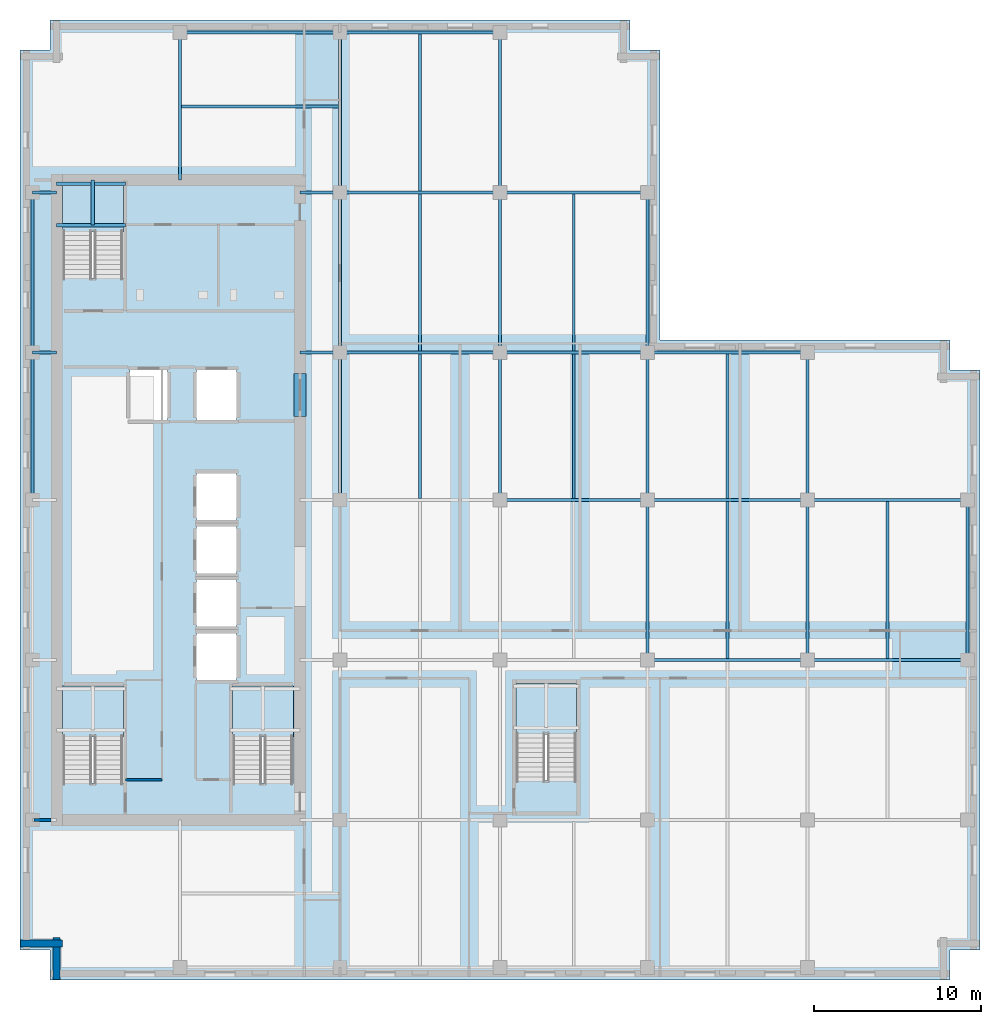
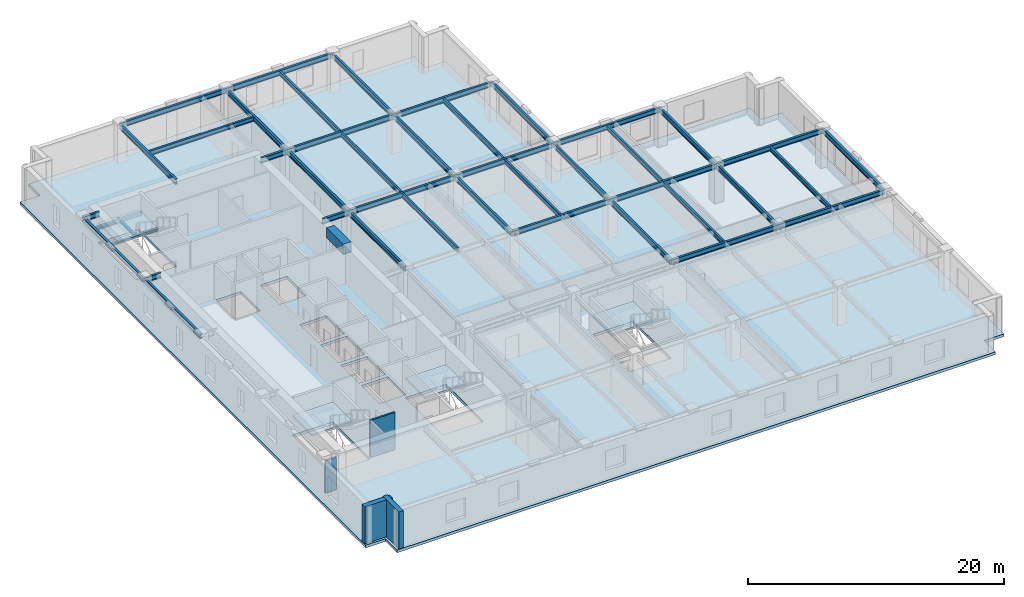
# One storey, part 2 of 11: 44 beams, 5 slabs, 4 walls, 4 elements without a shape of their own.
"""IFC4 building model written with IfcOpenShell, lengths in metres."""

from ifc_helpers import new_model, si_unit, direction, frame, frame_2d, origin, origin_2d, place, context, subcontext, project, spatial, polyline, rectangle, i_section, outline, extrude, material, layer, layer_set, material_profile, profile_set, type_object, element, aggregate, save


model = new_model("IFC4")

# Units and contexts
model_context = context("Model", 3, precision=1e-05, world=origin(), true_north=direction((0.0, 1.0)))
body_context = subcontext(model_context, "Body", "Model", "MODEL_VIEW")
ifc_project = project(units=[si_unit("LENGTHUNIT", "METRE"), si_unit("AREAUNIT", "SQUARE_METRE"), si_unit("VOLUMEUNIT", "CUBIC_METRE"), si_unit("PLANEANGLEUNIT", "RADIAN"), si_unit("MASSUNIT", "GRAM", prefix="KILO")], contexts=[model_context])

# Site, building, storey
site_placement = place(None, origin())
site = spatial("IfcSite", under=ifc_project, at=site_placement, CompositionType="ELEMENT")
building_placement = place(site_placement, origin())
building = spatial("IfcBuilding", under=site, at=building_placement, Name="Norrvale University Quadrangle", CompositionType="ELEMENT")
storey_placement = place(building_placement, frame((0.0, 0.0, 202.800048828125)))
storey = spatial("IfcBuildingStorey", under=building, at=storey_placement, Name="L51", CompositionType="ELEMENT", Elevation=202.800048828125)

# Beams
ifc_material_1 = material(Name="Concrete C80/95", Category="concrete")
ifc_material_profile_1 = material_profile(ifc_material_1, rectangle(XDim=0.699951171875, YDim=0.949951171875, at=origin_2d()), Name="Concrete C80/95")
ifc_profile_set_1 = profile_set([ifc_material_profile_1], Name="Concrete C80/95")
beam_type_1 = type_object("IfcBeamType", Name="Beam Core Link 700x950", PredefinedType="LINTEL", material=ifc_profile_set_1)
beam_1_placement = place(storey_placement, frame((16.800048828125, 33.800048828125, 3.06494140625), z_axis=(0.0, 1.0, 0.0), x_axis=(-1.0, 0.0, 0.0)))
element("IfcBeam", 1, at=beam_1_placement, inside=storey, type_object=beam_type_1, Name="Core Coupling Lintel Beam L51-2", PredefinedType="LINTEL", context=body_context, shape_type="SweptSolid", body=[
    extrude(rectangle(XDim=0.699951171875, YDim=0.949951171875, at=origin_2d()), origin(), (0.0, 0.0, 1.0), 2.599853515625),
])
ifc_material_2 = material(Name="Steel 350W", Category="steel")
ifc_material_profile_2 = material_profile(ifc_material_2, i_section(OverallWidth=0.194091796875, OverallDepth=0.468994140625, WebThickness=0.0126953125, FlangeThickness=0.0205078125, FilletRadius=0.012939453125, at=origin_2d()), Name="Steel 350W")
ifc_profile_set_2 = profile_set([ifc_material_profile_2], Name="Steel 350W")
beam_type_2 = type_object("IfcBeamType", Name="Beam Floor W460x106", PredefinedType="BEAM", material=ifc_profile_set_2)
for number, where, z_axis, x_axis, name in (
    (2, (37.64990234375, 19.199951171875, 3.305419921875), (1.0, 0.0, 0.0), (0.0, 1.0, 0.0), "Beam Floor W460x106 BM-L51-GX011"),
    (3, (47.25, 19.199951171875, 3.305419921875), (1.0, 0.0, 0.0), (0.0, 1.0, 0.0), "Beam Floor W460x106 BM-L51-GX012"),
):
    element("IfcBeam", number, at=place(storey_placement, frame(where, z_axis=z_axis, x_axis=x_axis)), inside=storey, type_object=beam_type_2, Name=name, PredefinedType="BEAM", context=body_context, shape_type="SweptSolid", body=[
        extrude(i_section(OverallWidth=0.194091796875, OverallDepth=0.468994140625, WebThickness=0.0126953125, FlangeThickness=0.0205078125, FilletRadius=0.012939453125, at=origin_2d()), origin(), (0.0, 0.0, 1.0), 9.60009765625),
    ])
beam_2_placement = place(storey_placement, frame((28.800048828125, 28.800048828125, 3.305419921875), z_axis=(1.0, 0.0, 0.0), x_axis=(0.0, 1.0, 0.0)))
element("IfcBeam", 4, at=beam_2_placement, inside=storey, type_object=beam_type_2, Name="Beam Floor W460x106 BM-L51-GX014", PredefinedType="BEAM", context=body_context, shape_type="SweptSolid", body=[
    extrude(i_section(OverallWidth=0.194091796875, OverallDepth=0.468994140625, WebThickness=0.0126953125, FlangeThickness=0.0205078125, FilletRadius=0.012939453125, at=origin_2d()), origin(), (0.0, 0.0, 1.0), 8.849853515625),
])
for number, where, z_axis, x_axis, name in (
    (5, (37.64990234375, 28.800048828125, 3.305419921875), (1.0, 0.0, 0.0), (0.0, 1.0, 0.0), "Beam Floor W460x106 BM-L51-GX015"),
    (6, (47.25, 28.800048828125, 3.305419921875), (1.0, 0.0, 0.0), (0.0, 1.0, 0.0), "Beam Floor W460x106 BM-L51-GX016"),
    (7, (19.199951171875, 37.64990234375, 3.305419921875), (1.0, 0.0, 0.0), (0.0, 1.0, 0.0), "Beam Floor W460x106 BM-L51-GX017"),
):
    element("IfcBeam", number, at=place(storey_placement, frame(where, z_axis=z_axis, x_axis=x_axis)), inside=storey, type_object=beam_type_2, Name=name, PredefinedType="BEAM", context=body_context, shape_type="SweptSolid", body=[
        extrude(i_section(OverallWidth=0.194091796875, OverallDepth=0.468994140625, WebThickness=0.0126953125, FlangeThickness=0.0205078125, FilletRadius=0.012939453125, at=origin_2d()), origin(), (0.0, 0.0, 1.0), 9.60009765625),
    ])
beam_3_placement = place(storey_placement, frame((28.800048828125, 37.64990234375, 3.305419921875), z_axis=(1.0, 0.0, 0.0), x_axis=(0.0, 1.0, 0.0)))
element("IfcBeam", 8, at=beam_3_placement, inside=storey, type_object=beam_type_2, Name="Beam Floor W460x106 BM-L51-GX018", PredefinedType="BEAM", context=body_context, shape_type="SweptSolid", body=[
    extrude(i_section(OverallWidth=0.194091796875, OverallDepth=0.468994140625, WebThickness=0.0126953125, FlangeThickness=0.0205078125, FilletRadius=0.012939453125, at=origin_2d()), origin(), (0.0, 0.0, 1.0), 8.849853515625),
])
for number, where, z_axis, x_axis, name in (
    (9, (37.64990234375, 37.64990234375, 3.305419921875), (1.0, 0.0, 0.0), (0.0, 1.0, 0.0), "Beam Floor W460x106 BM-L51-GX019"),
    (10, (19.199951171875, 47.25, 3.305419921875), (1.0, 0.0, 0.0), (0.0, 1.0, 0.0), "Beam Floor W460x106 BM-L51-GX020"),
):
    element("IfcBeam", number, at=place(storey_placement, frame(where, z_axis=z_axis, x_axis=x_axis)), inside=storey, type_object=beam_type_2, Name=name, PredefinedType="BEAM", context=body_context, shape_type="SweptSolid", body=[
        extrude(i_section(OverallWidth=0.194091796875, OverallDepth=0.468994140625, WebThickness=0.0126953125, FlangeThickness=0.0205078125, FilletRadius=0.012939453125, at=origin_2d()), origin(), (0.0, 0.0, 1.0), 9.60009765625),
    ])
beam_4_placement = place(storey_placement, frame((28.800048828125, 47.25, 3.305419921875), z_axis=(1.0, 0.0, 0.0), x_axis=(0.0, 1.0, 0.0)))
element("IfcBeam", 11, at=beam_4_placement, inside=storey, type_object=beam_type_2, Name="Beam Floor W460x106 BM-L51-GX021", PredefinedType="BEAM", context=body_context, shape_type="SweptSolid", body=[
    extrude(i_section(OverallWidth=0.194091796875, OverallDepth=0.468994140625, WebThickness=0.0126953125, FlangeThickness=0.0205078125, FilletRadius=0.012939453125, at=origin_2d()), origin(), (0.0, 0.0, 1.0), 8.849853515625),
])
beam_5_placement = place(storey_placement, frame((9.60009765625, 56.85009765625, 3.305419921875), z_axis=(1.0, 0.0, 0.0), x_axis=(0.0, 1.0, 0.0)))
element("IfcBeam", 12, at=beam_5_placement, inside=storey, type_object=beam_type_2, Name="Beam Floor W460x106 BM-L51-GX022", PredefinedType="BEAM", context=body_context, shape_type="SweptSolid", body=[
    extrude(i_section(OverallWidth=0.194091796875, OverallDepth=0.468994140625, WebThickness=0.0126953125, FlangeThickness=0.0205078125, FilletRadius=0.012939453125, at=origin_2d()), origin(), (0.0, 0.0, 1.0), 9.599853515625),
])
beam_6_placement = place(storey_placement, frame((19.199951171875, 56.85009765625, 3.305419921875), z_axis=(1.0, 0.0, 0.0), x_axis=(0.0, 1.0, 0.0)))
element("IfcBeam", 13, at=beam_6_placement, inside=storey, type_object=beam_type_2, Name="Beam Floor W460x106 BM-L51-GX023", PredefinedType="BEAM", context=body_context, shape_type="SweptSolid", body=[
    extrude(i_section(OverallWidth=0.194091796875, OverallDepth=0.468994140625, WebThickness=0.0126953125, FlangeThickness=0.0205078125, FilletRadius=0.012939453125, at=origin_2d()), origin(), (0.0, 0.0, 1.0), 9.60009765625),
])
beam_7_placement = place(storey_placement, frame((0.75, 28.800048828125, 3.305419921875), z_axis=(0.0, 1.0, 0.0), x_axis=(-1.0, 0.0, 0.0)))
element("IfcBeam", 14, at=beam_7_placement, inside=storey, type_object=beam_type_2, Name="Beam Floor W460x106 BM-L51-GY026", PredefinedType="BEAM", context=body_context, shape_type="SweptSolid", body=[
    extrude(i_section(OverallWidth=0.194091796875, OverallDepth=0.468994140625, WebThickness=0.0126953125, FlangeThickness=0.0205078125, FilletRadius=0.012939453125, at=origin_2d()), origin(), (0.0, 0.0, 1.0), 8.849853515625),
])
beam_8_placement = place(storey_placement, frame((0.75, 37.64990234375, 3.305419921875), z_axis=(0.0, 1.0, 0.0), x_axis=(-1.0, 0.0, 0.0)))
element("IfcBeam", 15, at=beam_8_placement, inside=storey, type_object=beam_type_2, Name="Beam Floor W460x106 BM-L51-GY027", PredefinedType="BEAM", context=body_context, shape_type="SweptSolid", body=[
    extrude(i_section(OverallWidth=0.194091796875, OverallDepth=0.468994140625, WebThickness=0.0126953125, FlangeThickness=0.0205078125, FilletRadius=0.012939453125, at=origin_2d()), origin(), (0.0, 0.0, 1.0), 9.60009765625),
])
beam_9_placement = place(storey_placement, frame((19.199951171875, 28.800048828125, 3.305419921875), z_axis=(0.0, 1.0, 0.0), x_axis=(-1.0, 0.0, 0.0)))
element("IfcBeam", 16, at=beam_9_placement, inside=storey, type_object=beam_type_2, Name="Beam Floor W460x106 BM-L51-GY031", PredefinedType="BEAM", context=body_context, shape_type="SweptSolid", body=[
    extrude(i_section(OverallWidth=0.194091796875, OverallDepth=0.468994140625, WebThickness=0.0126953125, FlangeThickness=0.0205078125, FilletRadius=0.012939453125, at=origin_2d()), origin(), (0.0, 0.0, 1.0), 8.849853515625),
])
for number, where, z_axis, x_axis, name in (
    (17, (19.199951171875, 37.64990234375, 3.305419921875), (0.0, 1.0, 0.0), (-1.0, 0.0, 0.0), "Beam Floor W460x106 BM-L51-GY032"),
    (18, (19.199951171875, 47.25, 3.305419921875), (0.0, 1.0, 0.0), (-1.0, 0.0, 0.0), "Beam Floor W460x106 BM-L51-GY033"),
):
    element("IfcBeam", number, at=place(storey_placement, frame(where, z_axis=z_axis, x_axis=x_axis)), inside=storey, type_object=beam_type_2, Name=name, PredefinedType="BEAM", context=body_context, shape_type="SweptSolid", body=[
        extrude(i_section(OverallWidth=0.194091796875, OverallDepth=0.468994140625, WebThickness=0.0126953125, FlangeThickness=0.0205078125, FilletRadius=0.012939453125, at=origin_2d()), origin(), (0.0, 0.0, 1.0), 9.60009765625),
    ])
beam_10_placement = place(storey_placement, frame((28.800048828125, 28.800048828125, 3.305419921875), z_axis=(0.0, 1.0, 0.0), x_axis=(-1.0, 0.0, 0.0)))
element("IfcBeam", 19, at=beam_10_placement, inside=storey, type_object=beam_type_2, Name="Beam Floor W460x106 BM-L51-GY037", PredefinedType="BEAM", context=body_context, shape_type="SweptSolid", body=[
    extrude(i_section(OverallWidth=0.194091796875, OverallDepth=0.468994140625, WebThickness=0.0126953125, FlangeThickness=0.0205078125, FilletRadius=0.012939453125, at=origin_2d()), origin(), (0.0, 0.0, 1.0), 8.849853515625),
])
for number, where, z_axis, x_axis, name in (
    (20, (28.800048828125, 37.64990234375, 3.305419921875), (0.0, 1.0, 0.0), (-1.0, 0.0, 0.0), "Beam Floor W460x106 BM-L51-GY038"),
    (21, (28.800048828125, 47.25, 3.305419921875), (0.0, 1.0, 0.0), (-1.0, 0.0, 0.0), "Beam Floor W460x106 BM-L51-GY039"),
    (22, (37.64990234375, 19.199951171875, 3.305419921875), (0.0, 1.0, 0.0), (-1.0, 0.0, 0.0), "Beam Floor W460x106 BM-L51-GY042"),
):
    element("IfcBeam", number, at=place(storey_placement, frame(where, z_axis=z_axis, x_axis=x_axis)), inside=storey, type_object=beam_type_2, Name=name, PredefinedType="BEAM", context=body_context, shape_type="SweptSolid", body=[
        extrude(i_section(OverallWidth=0.194091796875, OverallDepth=0.468994140625, WebThickness=0.0126953125, FlangeThickness=0.0205078125, FilletRadius=0.012939453125, at=origin_2d()), origin(), (0.0, 0.0, 1.0), 9.60009765625),
    ])
beam_11_placement = place(storey_placement, frame((37.64990234375, 28.800048828125, 3.305419921875), z_axis=(0.0, 1.0, 0.0), x_axis=(-1.0, 0.0, 0.0)))
element("IfcBeam", 23, at=beam_11_placement, inside=storey, type_object=beam_type_2, Name="Beam Floor W460x106 BM-L51-GY043", PredefinedType="BEAM", context=body_context, shape_type="SweptSolid", body=[
    extrude(i_section(OverallWidth=0.194091796875, OverallDepth=0.468994140625, WebThickness=0.0126953125, FlangeThickness=0.0205078125, FilletRadius=0.012939453125, at=origin_2d()), origin(), (0.0, 0.0, 1.0), 8.849853515625),
])
for number, where, z_axis, x_axis, name in (
    (24, (37.64990234375, 37.64990234375, 3.305419921875), (0.0, 1.0, 0.0), (-1.0, 0.0, 0.0), "Beam Floor W460x106 BM-L51-GY044"),
    (25, (47.25, 19.199951171875, 3.305419921875), (0.0, 1.0, 0.0), (-1.0, 0.0, 0.0), "Beam Floor W460x106 BM-L51-GY047"),
):
    element("IfcBeam", number, at=place(storey_placement, frame(where, z_axis=z_axis, x_axis=x_axis)), inside=storey, type_object=beam_type_2, Name=name, PredefinedType="BEAM", context=body_context, shape_type="SweptSolid", body=[
        extrude(i_section(OverallWidth=0.194091796875, OverallDepth=0.468994140625, WebThickness=0.0126953125, FlangeThickness=0.0205078125, FilletRadius=0.012939453125, at=origin_2d()), origin(), (0.0, 0.0, 1.0), 9.60009765625),
    ])
beam_12_placement = place(storey_placement, frame((47.25, 28.800048828125, 3.305419921875), z_axis=(0.0, 1.0, 0.0), x_axis=(-1.0, 0.0, 0.0)))
element("IfcBeam", 26, at=beam_12_placement, inside=storey, type_object=beam_type_2, Name="Beam Floor W460x106 BM-L51-GY048", PredefinedType="BEAM", context=body_context, shape_type="SweptSolid", body=[
    extrude(i_section(OverallWidth=0.194091796875, OverallDepth=0.468994140625, WebThickness=0.0126953125, FlangeThickness=0.0205078125, FilletRadius=0.012939453125, at=origin_2d()), origin(), (0.0, 0.0, 1.0), 8.849853515625),
])
beam_13_placement = place(storey_placement, frame((56.85009765625, 19.199951171875, 3.305419921875), z_axis=(0.0, 1.0, 0.0), x_axis=(-1.0, 0.0, 0.0)))
element("IfcBeam", 27, at=beam_13_placement, inside=storey, type_object=beam_type_2, Name="Beam Floor W460x106 BM-L51-GY050", PredefinedType="BEAM", context=body_context, shape_type="SweptSolid", body=[
    extrude(i_section(OverallWidth=0.194091796875, OverallDepth=0.468994140625, WebThickness=0.0126953125, FlangeThickness=0.0205078125, FilletRadius=0.012939453125, at=origin_2d()), origin(), (0.0, 0.0, 1.0), 9.60009765625),
])
beam_14_placement = place(storey_placement, frame((0.75, 37.64990234375, 3.305419921875), z_axis=(1.0, 0.0, 0.0), x_axis=(0.0, 1.0, 0.0)))
element("IfcBeam", 28, at=beam_14_placement, inside=storey, type_object=beam_type_2, Name="Beam Floor W460x106 BM-L51-GCW057", PredefinedType="BEAM", context=body_context, shape_type="SweptSolid", body=[
    extrude(i_section(OverallWidth=0.194091796875, OverallDepth=0.468994140625, WebThickness=0.0126953125, FlangeThickness=0.0205078125, FilletRadius=0.012939453125, at=origin_2d()), origin(), (0.0, 0.0, 1.0), 1.449951171875),
])
beam_15_placement = place(storey_placement, frame((16.800048828125, 37.64990234375, 3.305419921875), z_axis=(1.0, 0.0, 0.0), x_axis=(0.0, 1.0, 0.0)))
element("IfcBeam", 29, at=beam_15_placement, inside=storey, type_object=beam_type_2, Name="Beam Floor W460x106 BM-L51-GCE058", PredefinedType="BEAM", context=body_context, shape_type="SweptSolid", body=[
    extrude(i_section(OverallWidth=0.194091796875, OverallDepth=0.468994140625, WebThickness=0.0126953125, FlangeThickness=0.0205078125, FilletRadius=0.012939453125, at=origin_2d()), origin(), (0.0, 0.0, 1.0), 2.39990234375),
])
beam_16_placement = place(storey_placement, frame((0.75, 47.25, 3.305419921875), z_axis=(1.0, 0.0, 0.0), x_axis=(0.0, 1.0, 0.0)))
element("IfcBeam", 30, at=beam_16_placement, inside=storey, type_object=beam_type_2, Name="Beam Floor W460x106 BM-L51-GCW059", PredefinedType="BEAM", context=body_context, shape_type="SweptSolid", body=[
    extrude(i_section(OverallWidth=0.194091796875, OverallDepth=0.468994140625, WebThickness=0.0126953125, FlangeThickness=0.0205078125, FilletRadius=0.012939453125, at=origin_2d()), origin(), (0.0, 0.0, 1.0), 1.449951171875),
])
beam_17_placement = place(storey_placement, frame((16.800048828125, 47.25, 3.305419921875), z_axis=(1.0, 0.0, 0.0), x_axis=(0.0, 1.0, 0.0)))
element("IfcBeam", 31, at=beam_17_placement, inside=storey, type_object=beam_type_2, Name="Beam Floor W460x106 BM-L51-GCE060", PredefinedType="BEAM", context=body_context, shape_type="SweptSolid", body=[
    extrude(i_section(OverallWidth=0.194091796875, OverallDepth=0.468994140625, WebThickness=0.0126953125, FlangeThickness=0.0205078125, FilletRadius=0.012939453125, at=origin_2d()), origin(), (0.0, 0.0, 1.0), 2.39990234375),
])
beam_18_placement = place(storey_placement, frame((9.60009765625, 48.0, 3.305419921875), z_axis=(0.0, 1.0, 0.0), x_axis=(-1.0, 0.0, 0.0)))
element("IfcBeam", 32, at=beam_18_placement, inside=storey, type_object=beam_type_2, Name="Beam Floor W460x106 BM-L51-GCN079", PredefinedType="BEAM", context=body_context, shape_type="SweptSolid", body=[
    extrude(i_section(OverallWidth=0.194091796875, OverallDepth=0.468994140625, WebThickness=0.0126953125, FlangeThickness=0.0205078125, FilletRadius=0.012939453125, at=origin_2d()), origin(), (0.0, 0.0, 1.0), 8.85009765625),
])
ifc_material_profile_3 = material_profile(ifc_material_2, i_section(OverallWidth=0.177978515625, OverallDepth=0.406982421875, WebThickness=0.0078125, FlangeThickness=0.0126953125, FilletRadius=0.011962890625, at=origin_2d()), Name="Steel 350W")
ifc_profile_set_3 = profile_set([ifc_material_profile_3], Name="Steel 350W")
beam_type_3 = type_object("IfcBeamType", Name="Beam Roof Purlin W410x60", PredefinedType="USERDEFINED", material=ifc_profile_set_3)
beam_19_placement = place(storey_placement, frame((24.0, 28.89697265625, 3.33642578125), z_axis=(0.0, 1.0, 0.0), x_axis=(-1.0, 0.0, 0.0)))
element("IfcBeam", 33, at=beam_19_placement, inside=storey, type_object=beam_type_3, Name="Beam Roof Purlin W410x60 BM-L51-J064", ObjectType="PURLIN", PredefinedType="USERDEFINED", context=body_context, shape_type="SweptSolid", body=[
    extrude(i_section(OverallWidth=0.177978515625, OverallDepth=0.406982421875, WebThickness=0.0078125, FlangeThickness=0.0126953125, FilletRadius=0.011962890625, at=origin_2d()), origin(), (0.0, 0.0, 1.0), 8.656005859375),
])
for number, where, z_axis, x_axis, name in (
    (34, (24.0, 37.7470703125, 3.33642578125), (0.0, 1.0, 0.0), (-1.0, 0.0, 0.0), "Beam Roof Purlin W410x60 BM-L51-J065"),
    (35, (24.0, 47.346923828125, 3.33642578125), (0.0, 1.0, 0.0), (-1.0, 0.0, 0.0), "Beam Roof Purlin W410x60 BM-L51-J066"),
):
    element("IfcBeam", number, at=place(storey_placement, frame(where, z_axis=z_axis, x_axis=x_axis)), inside=storey, type_object=beam_type_3, Name=name, ObjectType="PURLIN", PredefinedType="USERDEFINED", context=body_context, shape_type="SweptSolid", body=[
        extrude(i_section(OverallWidth=0.177978515625, OverallDepth=0.406982421875, WebThickness=0.0078125, FlangeThickness=0.0126953125, FilletRadius=0.011962890625, at=origin_2d()), origin(), (0.0, 0.0, 1.0), 9.406005859375),
    ])
beam_20_placement = place(storey_placement, frame((33.22509765625, 28.89697265625, 3.33642578125), z_axis=(0.0, 1.0, 0.0), x_axis=(-1.0, 0.0, 0.0)))
element("IfcBeam", 36, at=beam_20_placement, inside=storey, type_object=beam_type_3, Name="Beam Roof Purlin W410x60 BM-L51-J069", ObjectType="PURLIN", PredefinedType="USERDEFINED", context=body_context, shape_type="SweptSolid", body=[
    extrude(i_section(OverallWidth=0.177978515625, OverallDepth=0.406982421875, WebThickness=0.0078125, FlangeThickness=0.0126953125, FilletRadius=0.011962890625, at=origin_2d()), origin(), (0.0, 0.0, 1.0), 8.656005859375),
])
beam_21_placement = place(storey_placement, frame((33.22509765625, 37.7470703125, 3.33642578125), z_axis=(0.0, 1.0, 0.0), x_axis=(-1.0, 0.0, 0.0)))
element("IfcBeam", 37, at=beam_21_placement, inside=storey, type_object=beam_type_3, Name="Beam Roof Purlin W410x60 BM-L51-J070", ObjectType="PURLIN", PredefinedType="USERDEFINED", context=body_context, shape_type="SweptSolid", body=[
    extrude(i_section(OverallWidth=0.177978515625, OverallDepth=0.406982421875, WebThickness=0.0078125, FlangeThickness=0.0126953125, FilletRadius=0.011962890625, at=origin_2d()), origin(), (0.0, 0.0, 1.0), 9.406005859375),
])
beam_22_placement = place(storey_placement, frame((42.449951171875, 19.297119140625, 3.33642578125), z_axis=(0.0, 1.0, 0.0), x_axis=(-1.0, 0.0, 0.0)))
element("IfcBeam", 38, at=beam_22_placement, inside=storey, type_object=beam_type_3, Name="Beam Roof Purlin W410x60 BM-L51-J073", ObjectType="PURLIN", PredefinedType="USERDEFINED", context=body_context, shape_type="SweptSolid", body=[
    extrude(i_section(OverallWidth=0.177978515625, OverallDepth=0.406982421875, WebThickness=0.0078125, FlangeThickness=0.0126953125, FilletRadius=0.011962890625, at=origin_2d()), origin(), (0.0, 0.0, 1.0), 9.40576171875),
])
beam_23_placement = place(storey_placement, frame((42.449951171875, 28.89697265625, 3.33642578125), z_axis=(0.0, 1.0, 0.0), x_axis=(-1.0, 0.0, 0.0)))
element("IfcBeam", 39, at=beam_23_placement, inside=storey, type_object=beam_type_3, Name="Beam Roof Purlin W410x60 BM-L51-J074", ObjectType="PURLIN", PredefinedType="USERDEFINED", context=body_context, shape_type="SweptSolid", body=[
    extrude(i_section(OverallWidth=0.177978515625, OverallDepth=0.406982421875, WebThickness=0.0078125, FlangeThickness=0.0126953125, FilletRadius=0.011962890625, at=origin_2d()), origin(), (0.0, 0.0, 1.0), 8.656005859375),
])
beam_24_placement = place(storey_placement, frame((52.050048828125, 19.297119140625, 3.33642578125), z_axis=(0.0, 1.0, 0.0), x_axis=(-1.0, 0.0, 0.0)))
element("IfcBeam", 40, at=beam_24_placement, inside=storey, type_object=beam_type_3, Name="Beam Roof Purlin W410x60 BM-L51-J076", ObjectType="PURLIN", PredefinedType="USERDEFINED", context=body_context, shape_type="SweptSolid", body=[
    extrude(i_section(OverallWidth=0.177978515625, OverallDepth=0.406982421875, WebThickness=0.0078125, FlangeThickness=0.0126953125, FilletRadius=0.011962890625, at=origin_2d()), origin(), (0.0, 0.0, 1.0), 9.40576171875),
])
beam_25_placement = place(storey_placement, frame((9.697021484375, 52.39990234375, 3.33642578125), z_axis=(1.0, 0.0, 0.0), x_axis=(0.0, 1.0, 0.0)))
element("IfcBeam", 41, at=beam_25_placement, inside=storey, type_object=beam_type_3, Name="Beam Roof Purlin W410x60 BM-L51-JCN080", ObjectType="PURLIN", PredefinedType="USERDEFINED", context=body_context, shape_type="SweptSolid", body=[
    extrude(i_section(OverallWidth=0.177978515625, OverallDepth=0.406982421875, WebThickness=0.0078125, FlangeThickness=0.0126953125, FilletRadius=0.011962890625, at=origin_2d()), origin(), (0.0, 0.0, 1.0), 9.406005859375),
])
ifc_material_profile_4 = material_profile(ifc_material_2, i_section(OverallWidth=0.201904296875, OverallDepth=0.2470703125, WebThickness=0.00732421875, FlangeThickness=0.010986328125, FilletRadius=0.011962890625, at=origin_2d()), Name="Steel 350W")
ifc_profile_set_4 = profile_set([ifc_material_profile_4], Name="Steel 350W")
beam_type_4 = type_object("IfcBeamType", Name="Beam Stair W250x49", PredefinedType="BEAM", material=ifc_profile_set_4)
for number, where, z_axis, x_axis, name in (
    (42, (2.199951171875, 45.2900390625, 1.576416015625), (1.0, 0.0, 0.0), (0.0, 1.0, 0.0), "Stair Mid-Landing Front Beam ST-02 L51"),
    (43, (2.199951171875, 47.77001953125, 1.576416015625), (1.0, 0.0, 0.0), (0.0, 1.0, 0.0), "Stair Mid-Landing Rear Beam ST-02 L51"),
):
    element("IfcBeam", number, at=place(storey_placement, frame(where, z_axis=z_axis, x_axis=x_axis)), inside=storey, type_object=beam_type_4, Name=name, PredefinedType="BEAM", context=body_context, shape_type="SweptSolid", body=[
        extrude(i_section(OverallWidth=0.201904296875, OverallDepth=0.2470703125, WebThickness=0.00732421875, FlangeThickness=0.010986328125, FilletRadius=0.011962890625, at=origin_2d()), origin(), (0.0, 0.0, 1.0), 4.14013671875),
    ])
ifc_material_profile_5 = material_profile(ifc_material_2, i_section(OverallWidth=0.202880859375, OverallDepth=0.202880859375, WebThickness=0.007080078125, FlangeThickness=0.010986328125, FilletRadius=0.010009765625, at=origin_2d()), Name="Steel 350W")
ifc_profile_set_5 = profile_set([ifc_material_profile_5], Name="Steel 350W")
beam_type_5 = type_object("IfcBeamType", Name="Beam Trim W200x46", PredefinedType="BEAM", material=ifc_profile_set_5)
beam_26_placement = place(storey_placement, frame((4.375, 45.2900390625, 1.598388671875), z_axis=(0.0, 1.0, 0.0), x_axis=(-1.0, 0.0, 0.0)))
element("IfcBeam", 44, at=beam_26_placement, inside=storey, type_object=beam_type_5, Name="Stair Mid-Landing Cross Beam ST-02 L51", PredefinedType="BEAM", context=body_context, shape_type="SweptSolid", body=[
    extrude(i_section(OverallWidth=0.202880859375, OverallDepth=0.202880859375, WebThickness=0.007080078125, FlangeThickness=0.010986328125, FilletRadius=0.010009765625, at=origin_2d()), origin(), (0.0, 0.0, 1.0), 2.7099609375),
])

# Stair, slab
ifc_material_3 = material(Name="Concrete C40/50", Category="concrete")
stair_type = type_object("IfcStairType", Name="Stair Tower Typ 3800", PredefinedType="TWO_STRAIGHT_RUN_STAIR", material=ifc_material_3)
stair_1_placement = place(storey_placement, origin())
stair_1 = element("IfcStair", 45, at=stair_1_placement, inside=storey, type_object=stair_type, Name="Exit Stair ST-01 L51", PredefinedType="TWO_STRAIGHT_RUN_STAIR")
ifc_layer_1 = layer(ifc_material_3, 0.199951171875, Name="Concrete C40/50")
ifc_layer_set_1 = layer_set([ifc_layer_1], Name="Concrete C40/50")
slab_type_1 = type_object("IfcSlabType", Name="Slab Landing 200", PredefinedType="LANDING", material=ifc_layer_set_1)
slab_1_placement = place(storey_placement, frame((0.0, 0.0, 1.699951171875)))
slab_1 = element("IfcSlab", 46, at=slab_1_placement, type_object=slab_type_1, Name="Exit Stair ST-01 L51 Mid Landing", PredefinedType="LANDING", context=body_context, shape_type="SweptSolid", body=[
    extrude(outline(polyline([(2.550048828125, 14.590087890625), (6.199951171875, 14.590087890625), (6.199951171875, 17.64990234375), (2.550048828125, 17.64990234375), (2.550048828125, 14.590087890625)])), origin(), (0.0, 0.0, 1.0), 0.199951171875),
])
aggregate(stair_1, [slab_1])

stair_2_placement = place(storey_placement, origin())
stair_2 = element("IfcStair", 47, at=stair_2_placement, inside=storey, type_object=stair_type, Name="Exit Stair ST-02 L51", PredefinedType="TWO_STRAIGHT_RUN_STAIR")
slab_2_placement = place(storey_placement, frame((0.0, 0.0, 1.699951171875)))
slab_2 = element("IfcSlab", 48, at=slab_2_placement, type_object=slab_type_1, Name="Exit Stair ST-02 L51 Mid Landing", PredefinedType="LANDING", context=body_context, shape_type="SweptSolid", body=[
    extrude(outline(polyline([(2.550048828125, 44.889892578125), (6.199951171875, 44.889892578125), (6.199951171875, 47.949951171875), (2.550048828125, 47.949951171875), (2.550048828125, 44.889892578125)])), origin(), (0.0, 0.0, 1.0), 0.199951171875),
])
aggregate(stair_2, [slab_2])

stair_3_placement = place(storey_placement, origin())
stair_3 = element("IfcStair", 49, at=stair_3_placement, inside=storey, type_object=stair_type, Name="Exit Stair ST-03 L51", PredefinedType="TWO_STRAIGHT_RUN_STAIR")
slab_3_placement = place(storey_placement, frame((0.0, 0.0, 1.699951171875)))
slab_3 = element("IfcSlab", 50, at=slab_3_placement, type_object=slab_type_1, Name="Exit Stair ST-03 L51 Mid Landing", PredefinedType="LANDING", context=body_context, shape_type="SweptSolid", body=[
    extrude(outline(polyline([(12.75, 14.590087890625), (16.39990234375, 14.590087890625), (16.39990234375, 17.64990234375), (12.75, 17.64990234375), (12.75, 14.590087890625)])), origin(), (0.0, 0.0, 1.0), 0.199951171875),
])
aggregate(stair_3, [slab_3])

stair_4_placement = place(storey_placement, origin())
stair_4 = element("IfcStair", 51, at=stair_4_placement, inside=storey, type_object=stair_type, Name="Exit Stair ST-04 L51", PredefinedType="TWO_STRAIGHT_RUN_STAIR")
slab_4_placement = place(storey_placement, frame((0.0, 0.0, 1.699951171875)))
slab_4 = element("IfcSlab", 52, at=slab_4_placement, type_object=slab_type_1, Name="Exit Stair ST-04 L51 Mid Landing", PredefinedType="LANDING", context=body_context, shape_type="SweptSolid", body=[
    extrude(outline(polyline([(29.75, 14.739990234375), (33.39990234375, 14.739990234375), (33.39990234375, 17.800048828125), (29.75, 17.800048828125), (29.75, 14.739990234375)])), origin(), (0.0, 0.0, 1.0), 0.199951171875),
])
aggregate(stair_4, [slab_4])

# Slab
ifc_layer_2 = layer(ifc_material_3, 0.260009765625, Name="Concrete C40/50")
ifc_layer_set_2 = layer_set([ifc_layer_2], Name="Concrete C40/50")
slab_type_2 = type_object("IfcSlabType", Name="Slab Tower Typ 260", PredefinedType="FLOOR", material=ifc_layer_set_2)
slab_5_placement = place(storey_placement, frame((0.0, 0.0, -0.260009765625)))
element("IfcSlab", 53, at=slab_5_placement, inside=storey, type_object=slab_type_2, Name="Tower L51 Floor Slab", PredefinedType="FLOOR", context=body_context, shape_type="SweptSolid", body=[
    extrude(outline(polyline([(1.800048828125, 0.0), (55.800048828125, 0.0), (55.800048828125, 1.800048828125), (57.60009765625, 1.800048828125), (57.60009765625, 36.60009765625), (55.800048828125, 36.60009765625), (55.800048828125, 38.39990234375), (38.39990234375, 38.39990234375), (38.39990234375, 55.800048828125), (36.60009765625, 55.800048828125), (36.60009765625, 57.60009765625), (1.800048828125, 57.60009765625), (1.800048828125, 55.800048828125), (0.0, 55.800048828125), (0.0, 1.800048828125), (1.800048828125, 1.800048828125), (1.800048828125, 0.0)]), holes=[polyline([(2.550048828125, 11.81005859375), (6.199951171875, 11.81005859375), (6.199951171875, 17.64990234375), (2.550048828125, 17.64990234375), (2.550048828125, 11.81005859375)]), polyline([(2.550048828125, 42.110107421875), (6.199951171875, 42.110107421875), (6.199951171875, 47.949951171875), (2.550048828125, 47.949951171875), (2.550048828125, 42.110107421875)]), polyline([(12.75, 11.81005859375), (16.39990234375, 11.81005859375), (16.39990234375, 17.64990234375), (12.75, 17.64990234375), (12.75, 11.81005859375)]), polyline([(29.75, 11.9599609375), (33.39990234375, 11.9599609375), (33.39990234375, 17.800048828125), (29.75, 17.800048828125), (29.75, 11.9599609375)]), polyline([(10.60009765625, 18.0), (13.0, 18.0), (13.0, 20.800048828125), (10.60009765625, 20.800048828125), (10.60009765625, 18.0)]), polyline([(10.60009765625, 21.199951171875), (13.0, 21.199951171875), (13.0, 24.0), (10.60009765625, 24.0), (10.60009765625, 21.199951171875)]), polyline([(10.60009765625, 24.39990234375), (13.0, 24.39990234375), (13.0, 27.199951171875), (10.60009765625, 27.199951171875), (10.60009765625, 24.39990234375)]), polyline([(10.60009765625, 27.60009765625), (13.0, 27.60009765625), (13.0, 30.39990234375), (10.60009765625, 30.39990234375), (10.60009765625, 27.60009765625)]), polyline([(6.60009765625, 33.60009765625), (8.85009765625, 33.60009765625), (8.85009765625, 36.60009765625), (6.60009765625, 36.60009765625), (6.60009765625, 33.60009765625)]), polyline([(10.60009765625, 33.60009765625), (13.0, 33.60009765625), (13.0, 36.60009765625), (10.60009765625, 36.60009765625), (10.60009765625, 33.60009765625)])]), origin(), (0.0, 0.0, 1.0), 0.260009765625),
])

# Walls
ifc_material_4 = material(Name="Buff Norman Clay Brick Masonry", Category="masonry")
ifc_layer_3 = layer(ifc_material_4, 0.419921875, Name="Buff Norman Clay Brick Masonry")
ifc_layer_set_3 = layer_set([ifc_layer_3], Name="Buff Norman Clay Brick Masonry")
wall_type_1 = type_object("IfcWallType", Name="Wall Buff Brick 420", PredefinedType="SOLIDWALL", material=ifc_layer_set_3)
for number, where, z_axis, x_axis, name in (
    (54, (0.0400390625, 2.18994140625, 0.0), (0.0, 0.0, 1.0), (1.0, 0.0, 0.0), "Exterior Brick Facade Wall L51-15.1"),
    (55, (2.18994140625, 2.5400390625, 0.0), (0.0, 0.0, 1.0), (0.0, -1.0, 0.0), "Exterior Brick Facade Wall L51-16.1"),
):
    element("IfcWall", number, at=place(storey_placement, frame(where, z_axis=z_axis, x_axis=x_axis)), inside=storey, type_object=wall_type_1, Name=name, PredefinedType="SOLIDWALL", context=body_context, shape_type="SweptSolid", body=[
        extrude(rectangle(XDim=2.5, YDim=0.419921875, at=frame_2d((1.25, 0.0))), origin(), (0.0, 0.0, 1.0), 3.5400390625),
    ])
ifc_material_5 = material(Name="Fire-Rated Gypsum Stud Partition")
ifc_layer_4 = layer(ifc_material_5, 0.14990234375, Name="Fire-Rated Gypsum Stud Partition")
ifc_layer_set_4 = layer_set([ifc_layer_4], Name="Fire-Rated Gypsum Stud Partition")
wall_type_2 = type_object("IfcWallType", Name="Wall Gypsum Corridor 150", PredefinedType="PARTITIONING", material=ifc_layer_set_4)
wall_1_placement = place(storey_placement, frame((6.320068359375, 12.02001953125, 0.0), z_axis=(0.0, 0.0, 1.0), x_axis=(1.0, 0.0, 0.0)))
element("IfcWall", 56, at=wall_1_placement, inside=storey, type_object=wall_type_2, Name="Interior Partition WL-L51-REC-S", PredefinedType="PARTITIONING", context=body_context, shape_type="SweptSolid", body=[
    extrude(rectangle(XDim=2.199951171875, YDim=0.14990234375, at=frame_2d((1.10009765625, 0.0))), origin(), (0.0, 0.0, 1.0), 3.5400390625),
])
ifc_material_6 = material(Name="Concrete Blockwork 20 MPa Rated Wall", Category="masonry")
ifc_layer_5 = layer(ifc_material_6, 0.199951171875, Name="Concrete Blockwork 20 MPa Rated Wall")
ifc_layer_set_5 = layer_set([ifc_layer_5], Name="Concrete Blockwork 20 MPa Rated Wall")
wall_type_3 = type_object("IfcWallType", Name="Wall Lobby 200", PredefinedType="SOLIDWALL", material=ifc_layer_set_5)
wall_2_placement = place(storey_placement, frame((0.85009765625, 9.60009765625, 0.0), z_axis=(0.0, 0.0, 1.0), x_axis=(1.0, 0.0, 0.0)))
element("IfcWall", 57, at=wall_2_placement, inside=storey, type_object=wall_type_3, Name="Interior Partition WL-L51-CWRET-S", PredefinedType="SOLIDWALL", context=body_context, shape_type="SweptSolid", body=[
    extrude(rectangle(XDim=0.994873046875, YDim=0.199951171875, at=frame_2d((0.49755859375, 0.0))), origin(), (0.0, 0.0, 1.0), 3.071044921875),
])

save(model, "model.ifc")
